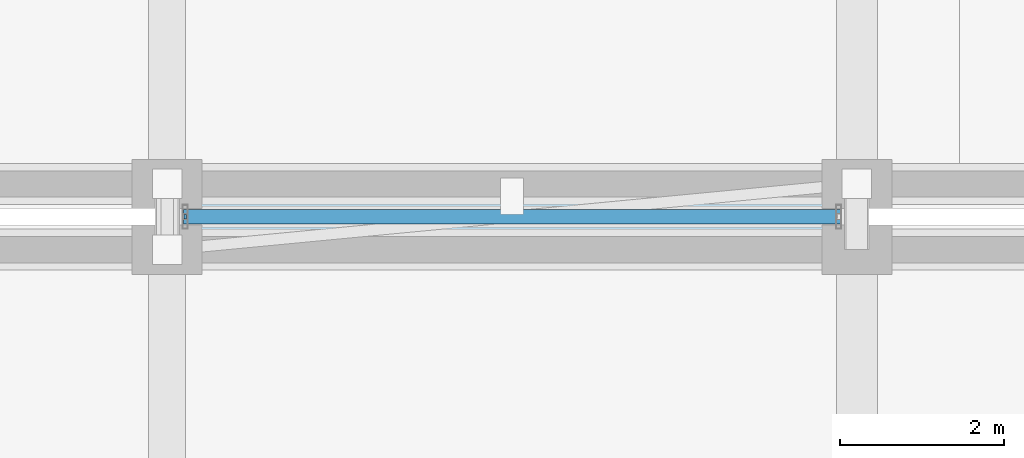
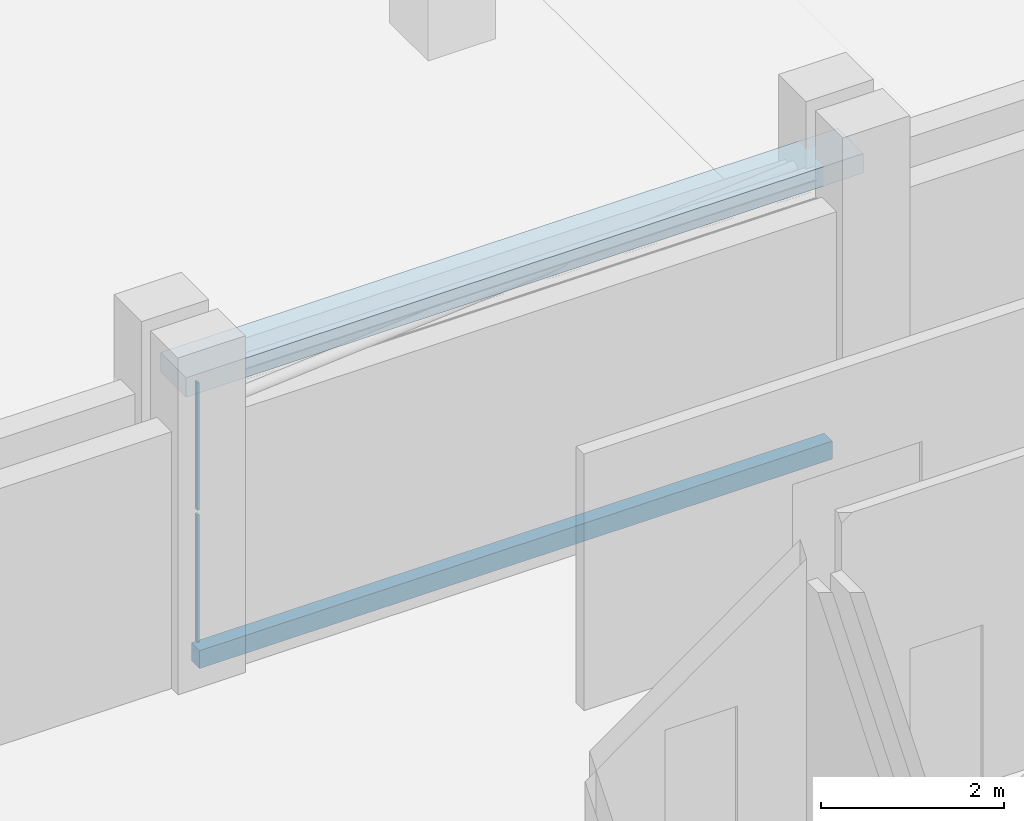
# One storey, part 89 of 137: 2 plates, 2 slabs, 1 element without a shape of its own.
"""IFC4 building model written with IfcOpenShell, lengths in metres."""

from ifc_helpers import new_model, si_unit, direction, frame, origin, origin_2d, place, context, subcontext, project, spatial, polyline, rectangle, outline, extrude, material, layer, layer_set, type_object, element, aggregate, save


model = new_model("IFC4")

# Units and contexts
model_context = context("Model", 3, precision=1e-05, world=origin(), true_north=direction((0.0, 1.0)))
body_context = subcontext(model_context, "Body", "Model", "MODEL_VIEW")
ifc_project = project(units=[si_unit("LENGTHUNIT", "METRE"), si_unit("AREAUNIT", "SQUARE_METRE"), si_unit("VOLUMEUNIT", "CUBIC_METRE"), si_unit("PLANEANGLEUNIT", "RADIAN"), si_unit("MASSUNIT", "GRAM", prefix="KILO")], contexts=[model_context])

# Site, building, storey
site_placement = place(None, origin())
site = spatial("IfcSite", under=ifc_project, at=site_placement, CompositionType="ELEMENT")
building_placement = place(site_placement, origin())
building = spatial("IfcBuilding", under=site, at=building_placement, Name="Xazarin Passage Department Store", CompositionType="ELEMENT")
storey_placement = place(building_placement, frame((0.0, 0.0, 5.39990234375)))
storey = spatial("IfcBuildingStorey", under=building, at=storey_placement, Name="L01", CompositionType="ELEMENT", Elevation=5.39990234375)

# Curtain wall, plates
ifc_material_1 = material(Name="Bronze anodised aluminium", Category="aluminium")
ifc_layer_1 = layer(ifc_material_1, 0.14990234375)
ifc_layer_set_1 = layer_set([ifc_layer_1], Name="Bronze anodised aluminium")
curtain_wall_type = type_object("IfcCurtainWallType", Name="ARC-CW-BRG1", PredefinedType="NOTDEFINED", material=ifc_layer_set_1)
curtain_wall_placement = place(storey_placement, origin())
curtain_wall = element("IfcCurtainWall", 1, at=curtain_wall_placement, inside=storey, type_object=curtain_wall_type, Name="L01 BR-V1-V3 Bridge Curtain Wall 1", PredefinedType="NOTDEFINED")
ifc_material_2 = material(Name="Low-E laminated safety glass", Category="glass")
ifc_layer_2 = layer(ifc_material_2, 0.028076171875)
ifc_layer_set_2 = layer_set([ifc_layer_2], Name="Low-E laminated safety glass")
plate_type = type_object("IfcPlateType", Name="ARC-CWP-GLZ28", PredefinedType="CURTAIN_PANEL", material=ifc_layer_set_2)
plate_1_placement = place(storey_placement, frame((25.419921875, 50.800048828125, 0.06494140625), z_axis=(0.0, 0.0, 1.0), x_axis=(0.0, 1.0, 0.0)))
plate_1 = element("IfcPlate", 2, at=plate_1_placement, type_object=plate_type, Name="CW7 panel 1.1", PredefinedType="CURTAIN_PANEL", context=body_context, shape_type="SweptSolid", body=[
    extrude(rectangle(XDim=0.050048828125, YDim=0.028076171875, at=origin_2d()), origin(), (0.0, 0.0, 1.0), 1.702392578125),
])
plate_2_placement = place(storey_placement, frame((25.419921875, 50.800048828125, 1.83251953125), z_axis=(0.0, 0.0, 1.0), x_axis=(0.0, 1.0, 0.0)))
plate_2 = element("IfcPlate", 3, at=plate_2_placement, type_object=plate_type, Name="CW7 panel 1.2", PredefinedType="CURTAIN_PANEL", context=body_context, shape_type="SweptSolid", body=[
    extrude(rectangle(XDim=0.050048828125, YDim=0.028076171875, at=origin_2d()), origin(), (0.0, 0.0, 1.0), 1.702392578125),
])
aggregate(curtain_wall, [plate_1, plate_2])

# Slabs
ifc_material_3 = material(Name="Concrete C35/45", Category="concrete")
ifc_layer_3 = layer(ifc_material_3, 0.239990234375)
ifc_layer_set_3 = layer_set([ifc_layer_3], Name="Concrete C35/45")
slab_type_1 = type_object("IfcSlabType", Name="STR-SLB-BRG240", PredefinedType="FLOOR", material=ifc_layer_set_3)
slab_1_placement = place(storey_placement, frame((0.0, 0.0, -0.239990234375)))
element("IfcSlab", 4, at=slab_1_placement, inside=storey, type_object=slab_type_1, Name="L01 BR-V1-V3 Bridge Floor Deck", PredefinedType="FLOOR", context=body_context, shape_type="SweptSolid", body=[
    extrude(outline(polyline([(25.39990234375, 50.7099609375), (33.39990234375, 50.7099609375), (33.39990234375, 50.889892578125), (25.39990234375, 50.889892578125), (25.39990234375, 50.7099609375)])), origin(), (0.0, 0.0, 1.0), 0.239990234375),
])
ifc_layer_4 = layer(ifc_material_3, 0.260009765625)
ifc_layer_set_4 = layer_set([ifc_layer_4], Name="Concrete C35/45")
slab_type_2 = type_object("IfcSlabType", Name="STR-SLB-RF260", PredefinedType="ROOF", material=ifc_layer_set_4)
slab_2_placement = place(storey_placement, frame((0.0, 0.0, 3.60009765625)))
element("IfcSlab", 5, at=slab_2_placement, inside=storey, type_object=slab_type_2, Name="L01 BR-V1-V3 Bridge Roof Deck", PredefinedType="ROOF", context=body_context, shape_type="SweptSolid", body=[
    extrude(outline(polyline([(25.1201171875, 50.52001953125), (33.679931640625, 50.52001953125), (33.679931640625, 51.080078125), (25.1201171875, 51.080078125), (25.1201171875, 50.52001953125)])), origin(), (0.0, 0.0, 1.0), 0.260009765625),
])

save(model, "model.ifc")
